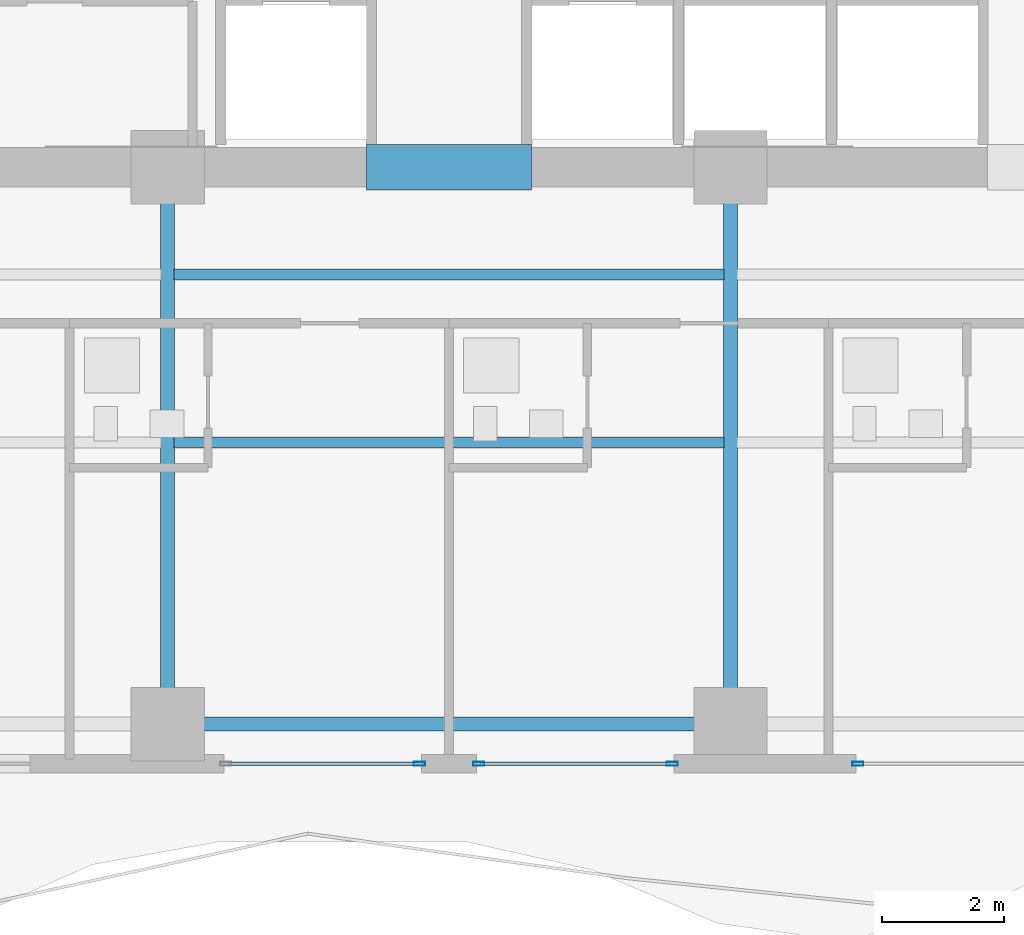
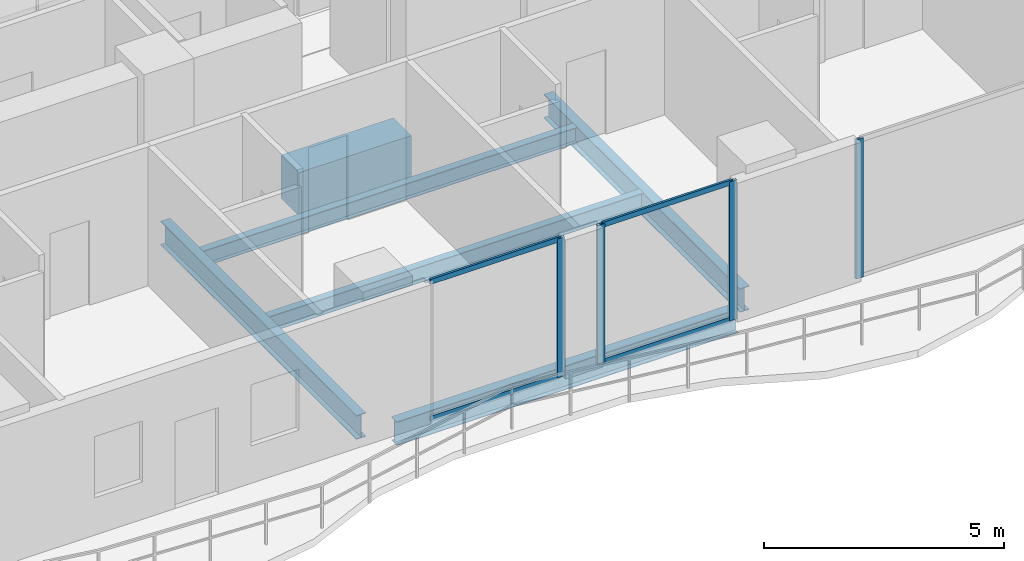
# One storey, part 6 of 32: 8 members, 6 beams, 3 elements without a shape of their own.
"""IFC4 building model written with IfcOpenShell, lengths in metres."""

import ifcopenshell
import ifcopenshell.guid

model = None  # the IFC model being written
_history = None  # IfcOwnerHistory: only IFC2X3 demands one
_inside = {}  # id of a spatial element -> (the spatial element, [elements in it])
_under = {}  # id of a project, library or spatial element -> (it, [spatial elements below it])
_declared = {}  # id of a project -> (the project, [libraries it declares])
_typed = {}  # id of a type object -> (the type object, [elements of that type])
_made_of = {}  # id of a material, layer set ... -> (it, [elements and type objects made of it])


def new_model(schema):
    """Start an empty IFC model of exactly this schema.

    Asked for "IFC4X3", IfcOpenShell would pick the latest addendum, in which some entities
    have other attributes; the version numbers below select the first issue.
    IFC2X3 requires an IfcOwnerHistory on every rooted entity: one is made here for all.
    """
    global model, _history
    if schema == "IFC4X3":
        model = ifcopenshell.file(schema_version=(4, 3, 0, 0))
    else:
        model = ifcopenshell.file(schema=schema)
    _inside.clear()
    _under.clear()
    _declared.clear()
    _typed.clear()
    _made_of.clear()
    _history = None
    if model.schema == "IFC2X3":
        org = make("IfcOrganization", Name="unknown")
        user = make(
            "IfcPersonAndOrganization",
            ThePerson=make("IfcPerson", FamilyName="unknown"),
            TheOrganization=org,
        )
        app = make(
            "IfcApplication",
            ApplicationDeveloper=org,
            Version="unknown",
            ApplicationFullName="unknown",
            ApplicationIdentifier="unknown",
        )
        _history = make(
            "IfcOwnerHistory",
            OwningUser=user,
            OwningApplication=app,
            ChangeAction="ADDED",
            CreationDate=0,
        )
    return model


def make(cls, **values):
    """One entity of the class cls with the attributes given. An attribute that is None is left unset."""
    return model.create_entity(
        cls, **{name: value for name, value in values.items() if value is not None}
    )


def rooted(cls, **values):
    """An entity with a GlobalId (a new one), such as an element, a storey or a relation."""
    return make(cls, GlobalId=ifcopenshell.guid.new(), OwnerHistory=_history, **values)


def si_unit(unit_type, name, prefix=None):
    """IfcSIUnit, for example si_unit("LENGTHUNIT", "METRE", prefix="MILLI")."""
    return make("IfcSIUnit", UnitType=unit_type, Prefix=prefix, Name=name)


def assignment(units):
    """IfcUnitAssignment: the units of a project."""
    return None if units is None else make("IfcUnitAssignment", Units=units)


def point(xyz):
    """IfcCartesianPoint."""
    return None if xyz is None else make("IfcCartesianPoint", Coordinates=xyz)


def direction(xyz):
    """IfcDirection."""
    return None if xyz is None else make("IfcDirection", DirectionRatios=xyz)


def frame(location, z_axis=None, x_axis=None):
    """IfcAxis2Placement3D, a coordinate frame: its origin and axes. An axis left out is left unset."""
    return make(
        "IfcAxis2Placement3D",
        Location=point(location),
        Axis=direction(z_axis),
        RefDirection=direction(x_axis),
    )


def frame_2d(location, x_axis=None):
    """IfcAxis2Placement2D, a coordinate frame in the plane: its origin and x axis."""
    return make(
        "IfcAxis2Placement2D", Location=point(location), RefDirection=direction(x_axis)
    )


def origin():
    """The frame at (0, 0, 0) with its axes left unset."""
    return frame((0.0, 0.0, 0.0))


def origin_2d():
    """The frame at (0, 0) in the plane with its x axis left unset."""
    return frame_2d((0.0, 0.0))


def place(relative_to, where):
    """IfcLocalPlacement: puts the frame where relative to a parent placement (None: the world)."""
    return make(
        "IfcLocalPlacement", PlacementRelTo=relative_to, RelativePlacement=where
    )


def context(
    kind, dimensions, precision=None, world=None, true_north=None, identifier=None
):
    """IfcGeometricRepresentationContext, for example the 3D "Model" context."""
    return make(
        "IfcGeometricRepresentationContext",
        ContextIdentifier=identifier,
        ContextType=kind,
        CoordinateSpaceDimension=dimensions,
        Precision=precision,
        WorldCoordinateSystem=world,
        TrueNorth=true_north,
    )


def subcontext(parent, identifier, kind, view, scale=None):
    """IfcGeometricRepresentationSubContext, for example "Body" below "Model"."""
    return make(
        "IfcGeometricRepresentationSubContext",
        ContextIdentifier=identifier,
        ContextType=kind,
        ParentContext=parent,
        TargetScale=scale,
        TargetView=view,
    )


def project(units=None, contexts=None):
    """IfcProject with its units and contexts."""
    return rooted(
        "IfcProject",
        Name="project",
        RepresentationContexts=contexts,
        UnitsInContext=assignment(units),
    )


def spatial(cls, under=None, at=None, **own):
    """A site, building, storey or space (cls), placed at a placement, below another one or the project."""
    s = rooted(cls, ObjectPlacement=at, **own)
    if under is not None:
        _under.setdefault(under.id(), (under, []))[1].append(s)
    return s


def profile(cls, at=None, kind="AREA", **sizes):
    """A parametric profile (cls). Its sizes go by their IFC names, for example OverallWidth=200.0."""
    return make(cls, ProfileType=kind, Position=at, **sizes)


def rectangle(**sizes):
    """IfcRectangleProfileDef."""
    return profile("IfcRectangleProfileDef", **sizes)


def hollow_rectangle(**sizes):
    """IfcRectangleHollowProfileDef."""
    return profile("IfcRectangleHollowProfileDef", **sizes)


def i_section(**sizes):
    """IfcIShapeProfileDef."""
    return profile("IfcIShapeProfileDef", **sizes)


def extrude(swept, where, along, depth):
    """IfcExtrudedAreaSolid: the profile swept, set in the frame where, extruded along a direction by depth."""
    return make(
        "IfcExtrudedAreaSolid",
        SweptArea=swept,
        Position=where,
        ExtrudedDirection=direction(along),
        Depth=depth,
    )


def shape(context_of_items, identifier, shape_type, items):
    """IfcShapeRepresentation: the items that make up one representation, for example the "Body"."""
    return make(
        "IfcShapeRepresentation",
        ContextOfItems=context_of_items,
        RepresentationIdentifier=identifier,
        RepresentationType=shape_type,
        Items=items,
    )


def material(Name=None, Category=None):
    """IfcMaterial."""
    return make("IfcMaterial", Name=Name, Category=Category)


def layer(
    of_material, thickness, ventilated=None, Name=None, Category=None, Priority=None
):
    """IfcMaterialLayer: one layer of a wall or slab, of a material (None: an air gap)."""
    return make(
        "IfcMaterialLayer",
        Material=of_material,
        LayerThickness=thickness,
        IsVentilated=ventilated,
        Name=Name,
        Category=Category,
        Priority=Priority,
    )


def layer_set(layers, Name=None):
    """IfcMaterialLayerSet."""
    return make("IfcMaterialLayerSet", MaterialLayers=layers, LayerSetName=Name)


def material_profile(
    of_material, cross_section, Name=None, Category=None, Priority=None
):
    """IfcMaterialProfile: a cross section and its material."""
    return make(
        "IfcMaterialProfile",
        Name=Name,
        Material=of_material,
        Profile=cross_section,
        Priority=Priority,
        Category=Category,
    )


def profile_set(profiles, Name=None, composite=None):
    """IfcMaterialProfileSet."""
    return make(
        "IfcMaterialProfileSet",
        Name=Name,
        MaterialProfiles=profiles,
        CompositeProfile=composite,
    )


def made_of(thing, what):
    """Note that an element or type object is made of a material, layer set ...; save() writes the relation."""
    if what is not None:
        _made_of.setdefault(what.id(), (what, []))[1].append(thing)
    return thing


def type_object(cls, material=None, **own):
    """A type object (cls), such as IfcWallType, which elements share."""
    return made_of(rooted(cls, **own), material)


def element(
    cls,
    number,
    at=None,
    inside=None,
    cuts=None,
    type_object=None,
    material=None,
    context=None,
    identifier="Body",
    shape_type=None,
    held_by="IfcProductDefinitionShape",
    body=None,
    shapes=None,
    **own,
):
    """One element of the class cls, such as IfcWall. Its Tag is "e" and its number.

    at: its placement. inside: the storey or other place that contains it. cuts: it is an
    opening in that element (IfcRelVoidsElement). A single representation is given by context,
    identifier, shape_type and body (its items); several are given by shapes. held_by: the class
    of the entity that holds the representations. save() writes the other relations.
    """
    e = rooted(cls, Tag="e%d" % number, ObjectPlacement=at, **own)
    if body is not None:
        shapes = [shape(context, identifier, shape_type, body)]
    if shapes is not None:
        e.Representation = make(held_by, Representations=shapes)
    if inside is not None:
        _inside.setdefault(inside.id(), (inside, []))[1].append(e)
    if cuts is not None:
        rooted(
            "IfcRelVoidsElement", RelatingBuildingElement=cuts, RelatedOpeningElement=e
        )
    if type_object is not None:
        _typed.setdefault(type_object.id(), (type_object, []))[1].append(e)
    return made_of(e, material)


def aggregate(whole, parts):
    """IfcRelAggregates: a whole, such as a stair, and the parts it consists of."""
    return rooted("IfcRelAggregates", RelatingObject=whole, RelatedObjects=parts)


def save(model, path):
    """Write the relations noted so far, then the file.

    IfcRelAggregates (storeys below a building ...), IfcRelContainedInSpatialStructure (elements
    in a storey), IfcRelDefinesByType, IfcRelAssociatesMaterial and IfcRelDeclares: one each for
    every whole, place, type object, material and project.
    """
    for whole, parts in _under.values():
        aggregate(whole, parts)
    for where, things in _inside.values():
        rooted(
            "IfcRelContainedInSpatialStructure",
            RelatedElements=things,
            RelatingStructure=where,
        )
    for kind, things in _typed.values():
        rooted("IfcRelDefinesByType", RelatedObjects=things, RelatingType=kind)
    for what, things in _made_of.values():
        rooted("IfcRelAssociatesMaterial", RelatedObjects=things, RelatingMaterial=what)
    for by, libraries in _declared.values():
        rooted("IfcRelDeclares", RelatingContext=by, RelatedDefinitions=libraries)
    model.write(path)


model = new_model("IFC4")

# Units and contexts
model_context = context("Model", 3, precision=1e-05, world=origin(), true_north=direction((0.0, 1.0)))
body_context = subcontext(model_context, "Body", "Model", "MODEL_VIEW")
ifc_project = project(units=[si_unit("LENGTHUNIT", "METRE"), si_unit("AREAUNIT", "SQUARE_METRE"), si_unit("VOLUMEUNIT", "CUBIC_METRE"), si_unit("PLANEANGLEUNIT", "RADIAN"), si_unit("MASSUNIT", "GRAM", prefix="KILO")], contexts=[model_context])

# Site, building, storey
site_placement = place(None, origin())
site = spatial("IfcSite", under=ifc_project, at=site_placement, CompositionType="ELEMENT")
building_placement = place(site_placement, origin())
building = spatial("IfcBuilding", under=site, at=building_placement, Name="Zuhayl Quay Hotel", CompositionType="ELEMENT")
storey_placement = place(building_placement, frame((0.0, 0.0, 188.64990234375)))
storey = spatial("IfcBuildingStorey", under=building, at=storey_placement, Name="L47", CompositionType="ELEMENT", Elevation=188.64990234375)

# Beams
ifc_material_1 = material(Name="Steel ASTM A992 Grade 50", Category="steel")
ifc_material_profile_1 = material_profile(ifc_material_1, i_section(OverallWidth=0.22802734375, OverallDepth=0.60693359375, WebThickness=0.01123046875, FlangeThickness=0.017333984375, at=origin_2d()), Name="W24X76")
ifc_profile_set_1 = profile_set([ifc_material_profile_1], Name="Steel ASTM A992 Grade 50")
beam_type_1 = type_object("IfcBeamType", Name="BM_B3_W24X76", PredefinedType="BEAM", material=ifc_profile_set_1)
beam_1_placement = place(storey_placement, frame((-4.10009765625, -6.949951171875, -0.5234375), z_axis=(1.0, 0.0, 0.0), x_axis=(0.0, 1.0, 0.0)))
element("IfcBeam", 1, at=beam_1_placement, inside=storey, type_object=beam_type_1, Name="L47 Floor Beam RG_L47_02", PredefinedType="BEAM", context=body_context, shape_type="SweptSolid", body=[
    extrude(i_section(OverallWidth=0.22802734375, OverallDepth=0.60693359375, WebThickness=0.01123046875, FlangeThickness=0.017333984375, at=origin_2d()), origin(), (0.0, 0.0, 1.0), 8.2001953125),
])
for number, where, z_axis, x_axis, name in (
    (2, (-4.60009765625, -6.449951171875, -0.5234375), (0.0, 1.0, 0.0), (-1.0, 0.0, 0.0), "L47 Floor Beam FG_S_L47_2"),
    (3, (4.60009765625, -6.449951171875, -0.5234375), (0.0, 1.0, 0.0), (-1.0, 0.0, 0.0), "L47 Floor Beam FG_S_L47_3"),
):
    element("IfcBeam", number, at=place(storey_placement, frame(where, z_axis=z_axis, x_axis=x_axis)), inside=storey, type_object=beam_type_1, Name=name, PredefinedType="BEAM", context=body_context, shape_type="SweptSolid", body=[
        extrude(i_section(OverallWidth=0.22802734375, OverallDepth=0.60693359375, WebThickness=0.01123046875, FlangeThickness=0.017333984375, at=origin_2d()), origin(), (0.0, 0.0, 1.0), 8.14990234375),
    ])
ifc_material_2 = material(Name="Concrete C60/75", Category="concrete")
ifc_material_profile_2 = material_profile(ifc_material_2, rectangle(XDim=0.75, YDim=1.10009765625, at=origin_2d()), Name="RC750X1100")
ifc_profile_set_2 = profile_set([ifc_material_profile_2], Name="Concrete C60/75")
beam_type_2 = type_object("IfcBeamType", Name="BM_CB2_RC750", PredefinedType="T_BEAM", material=ifc_profile_set_2)
beam_2_placement = place(storey_placement, frame((-1.35009765625, 2.14990234375, -0.77001953125), z_axis=(1.0, 0.0, 0.0), x_axis=(0.0, 1.0, 0.0)))
element("IfcBeam", 4, at=beam_2_placement, inside=storey, type_object=beam_type_2, Name="L47 Core Coupling Beam South", PredefinedType="T_BEAM", context=body_context, shape_type="SweptSolid", body=[
    extrude(rectangle(XDim=0.75, YDim=1.10009765625, at=origin_2d()), origin(), (0.0, 0.0, 1.0), 2.7001953125),
])
ifc_material_profile_3 = material_profile(ifc_material_1, i_section(OverallWidth=0.177978515625, OverallDepth=0.406005859375, WebThickness=0.0078125, FlangeThickness=0.0126953125, at=origin_2d()), Name="W16X40")
ifc_profile_set_3 = profile_set([ifc_material_profile_3], Name="Steel ASTM A992 Grade 50")
beam_type_3 = type_object("IfcBeamType", Name="BM_J2B_W16X40", PredefinedType="JOIST", material=ifc_profile_set_3)
for number, where, z_axis, x_axis, name in (
    (5, (-4.493896484375, -2.35009765625, -0.4228515625), (1.0, 0.0, 0.0), (0.0, 1.0, 0.0), "L47 Floor Beam FJ_L47_7_2"),
    (6, (-4.493896484375, 0.39990234375, -0.4228515625), (1.0, 0.0, 0.0), (0.0, 1.0, 0.0), "L47 Floor Beam FJ_L47_8_2"),
):
    element("IfcBeam", number, at=place(storey_placement, frame(where, z_axis=z_axis, x_axis=x_axis)), inside=storey, type_object=beam_type_3, Name=name, PredefinedType="JOIST", context=body_context, shape_type="SweptSolid", body=[
        extrude(i_section(OverallWidth=0.177978515625, OverallDepth=0.406005859375, WebThickness=0.0078125, FlangeThickness=0.0126953125, at=origin_2d()), origin(), (0.0, 0.0, 1.0), 8.98779296875),
    ])

# Curtain wall, member
ifc_material_3 = material(Name="Anodised Aluminium 6063-T6", Category="aluminium")
ifc_layer = layer(ifc_material_3, 0.175048828125, Name="Anodised Aluminium 6063-T6", Category="aluminium")
ifc_layer_set = layer_set([ifc_layer], Name="Anodised Aluminium 6063-T6")
curtain_wall_type = type_object("IfcCurtainWallType", Name="CW_SYS_Z3", PredefinedType="USERDEFINED", material=ifc_layer_set)
curtain_wall_1_placement = place(storey_placement, origin())
curtain_wall_1 = element("IfcCurtainWall", 7, at=curtain_wall_1_placement, inside=storey, type_object=curtain_wall_type, Name="L47 Curtain Wall ENV_L47_S_CW2", ObjectType="UNITISED CURTAIN WALL", PredefinedType="USERDEFINED")
ifc_material_4 = material(Name="Black-anodised aluminium 6063-T6", Category="aluminium")
ifc_material_profile_4 = material_profile(ifc_material_4, hollow_rectangle(XDim=0.06494140625, YDim=0.179931640625, WallThickness=0.00341796875, at=origin_2d()), Name="ALU180X65")
ifc_profile_set_4 = profile_set([ifc_material_profile_4], Name="Black-anodised aluminium 6063-T6")
member_type_1 = type_object("IfcMemberType", Name="MB_CW_MUL_180", PredefinedType="MULLION", material=ifc_profile_set_4)
member_1_placement = place(storey_placement, frame((6.6826171875, -7.60009765625, 0.0), z_axis=(0.0, 0.0, 1.0), x_axis=(0.0, -1.0, 0.0)))
member_1 = element("IfcMember", 8, at=member_1_placement, type_object=member_type_1, Name="CW-Z3 mullion 2", PredefinedType="MULLION", context=body_context, shape_type="SweptSolid", body=[
    extrude(hollow_rectangle(XDim=0.06494140625, YDim=0.179931640625, WallThickness=0.00341796875, at=origin_2d()), origin(), (0.0, 0.0, 1.0), 3.530029296875),
])
aggregate(curtain_wall_1, [member_1])

# Curtain wall, members
curtain_wall_2_placement = place(storey_placement, origin())
curtain_wall_2 = element("IfcCurtainWall", 9, at=curtain_wall_2_placement, inside=storey, type_object=curtain_wall_type, Name="L47 Curtain Wall ENV_L47_S_CW3", ObjectType="UNITISED CURTAIN WALL", PredefinedType="USERDEFINED")
member_2_placement = place(storey_placement, frame((3.6474609375, -7.60009765625, 0.0), z_axis=(0.0, 0.0, 1.0), x_axis=(0.0, -1.0, 0.0)))
member_2 = element("IfcMember", 10, at=member_2_placement, type_object=member_type_1, Name="CW-Z3 mullion 1", PredefinedType="MULLION", context=body_context, shape_type="SweptSolid", body=[
    extrude(hollow_rectangle(XDim=0.06494140625, YDim=0.179931640625, WallThickness=0.00341796875, at=origin_2d()), origin(), (0.0, 0.0, 1.0), 3.530029296875),
])
member_3_placement = place(storey_placement, frame((0.482421875, -7.60009765625, 0.0), z_axis=(0.0, 0.0, 1.0), x_axis=(0.0, -1.0, 0.0)))
member_3 = element("IfcMember", 11, at=member_3_placement, type_object=member_type_1, Name="CW-Z3 mullion 2", PredefinedType="MULLION", context=body_context, shape_type="SweptSolid", body=[
    extrude(hollow_rectangle(XDim=0.06494140625, YDim=0.179931640625, WallThickness=0.00341796875, at=origin_2d()), origin(), (0.0, 0.0, 1.0), 3.530029296875),
])

# Curtain wall, member
curtain_wall_3_placement = place(storey_placement, origin())
curtain_wall_3 = element("IfcCurtainWall", 12, at=curtain_wall_3_placement, inside=storey, type_object=curtain_wall_type, Name="L47 Curtain Wall ENV_L47_S_CW4", ObjectType="UNITISED CURTAIN WALL", PredefinedType="USERDEFINED")
member_4_placement = place(storey_placement, frame((-0.482421875, -7.60009765625, 0.0), z_axis=(0.0, 0.0, 1.0), x_axis=(0.0, -1.0, 0.0)))
member_4 = element("IfcMember", 13, at=member_4_placement, type_object=member_type_1, Name="CW-Z3 mullion 1", PredefinedType="MULLION", context=body_context, shape_type="SweptSolid", body=[
    extrude(hollow_rectangle(XDim=0.06494140625, YDim=0.179931640625, WallThickness=0.00341796875, at=origin_2d()), origin(), (0.0, 0.0, 1.0), 3.530029296875),
])

# Member
ifc_material_profile_5 = material_profile(ifc_material_4, hollow_rectangle(XDim=0.054931640625, YDim=0.1298828125, WallThickness=0.0029296875, at=origin_2d()), Name="ALU130X55")
ifc_profile_set_5 = profile_set([ifc_material_profile_5], Name="Black-anodised aluminium 6063-T6")
member_type_2 = type_object("IfcMemberType", Name="MB_CW_TRN_130", PredefinedType="USERDEFINED", material=ifc_profile_set_5)
member_5_placement = place(storey_placement, frame((3.614990234375, -7.60009765625, 0.027587890625), z_axis=(-1.0, 0.0, 0.0), x_axis=(0.0, -1.0, 0.0)))
member_5 = element("IfcMember", 14, at=member_5_placement, type_object=member_type_2, Name="CW-Z3 transom 1.1", ObjectType="TRANSOM", PredefinedType="USERDEFINED", context=body_context, shape_type="SweptSolid", body=[
    extrude(hollow_rectangle(XDim=0.054931640625, YDim=0.1298828125, WallThickness=0.0029296875, at=origin_2d()), origin(), (0.0, 0.0, 1.0), 3.10009765625),
])

member_6_placement = place(storey_placement, frame((3.614990234375, -7.60009765625, 3.502685546875), z_axis=(-1.0, 0.0, 0.0), x_axis=(0.0, -1.0, 0.0)))
member_6 = element("IfcMember", 15, at=member_6_placement, type_object=member_type_2, Name="CW-Z3 transom 1.2", ObjectType="TRANSOM", PredefinedType="USERDEFINED", context=body_context, shape_type="SweptSolid", body=[
    extrude(hollow_rectangle(XDim=0.054931640625, YDim=0.1298828125, WallThickness=0.0029296875, at=origin_2d()), origin(), (0.0, 0.0, 1.0), 3.10009765625),
])

aggregate(curtain_wall_2, [member_2, member_3, member_5, member_6])

member_7_placement = place(storey_placement, frame((-0.514892578125, -7.60009765625, 0.027587890625), z_axis=(-1.0, 0.0, 0.0), x_axis=(0.0, -1.0, 0.0)))
member_7 = element("IfcMember", 16, at=member_7_placement, type_object=member_type_2, Name="CW-Z3 transom 1.1", ObjectType="TRANSOM", PredefinedType="USERDEFINED", context=body_context, shape_type="SweptSolid", body=[
    extrude(hollow_rectangle(XDim=0.054931640625, YDim=0.1298828125, WallThickness=0.0029296875, at=origin_2d()), origin(), (0.0, 0.0, 1.0), 3.10009765625),
])

member_8_placement = place(storey_placement, frame((-0.514892578125, -7.60009765625, 3.502685546875), z_axis=(-1.0, 0.0, 0.0), x_axis=(0.0, -1.0, 0.0)))
member_8 = element("IfcMember", 17, at=member_8_placement, type_object=member_type_2, Name="CW-Z3 transom 1.2", ObjectType="TRANSOM", PredefinedType="USERDEFINED", context=body_context, shape_type="SweptSolid", body=[
    extrude(hollow_rectangle(XDim=0.054931640625, YDim=0.1298828125, WallThickness=0.0029296875, at=origin_2d()), origin(), (0.0, 0.0, 1.0), 3.10009765625),
])

aggregate(curtain_wall_3, [member_4, member_7, member_8])

save(model, "model.ifc")
